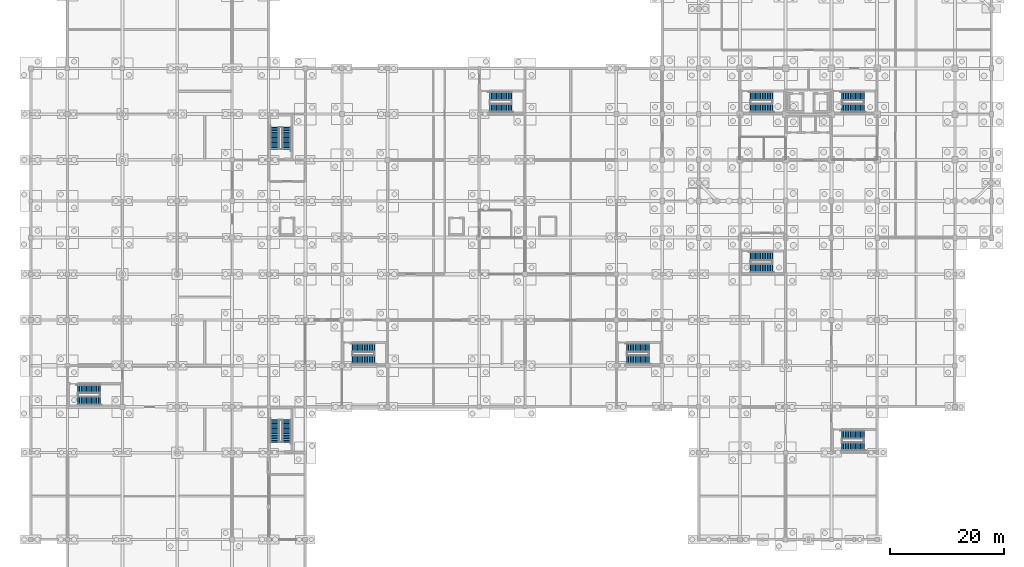
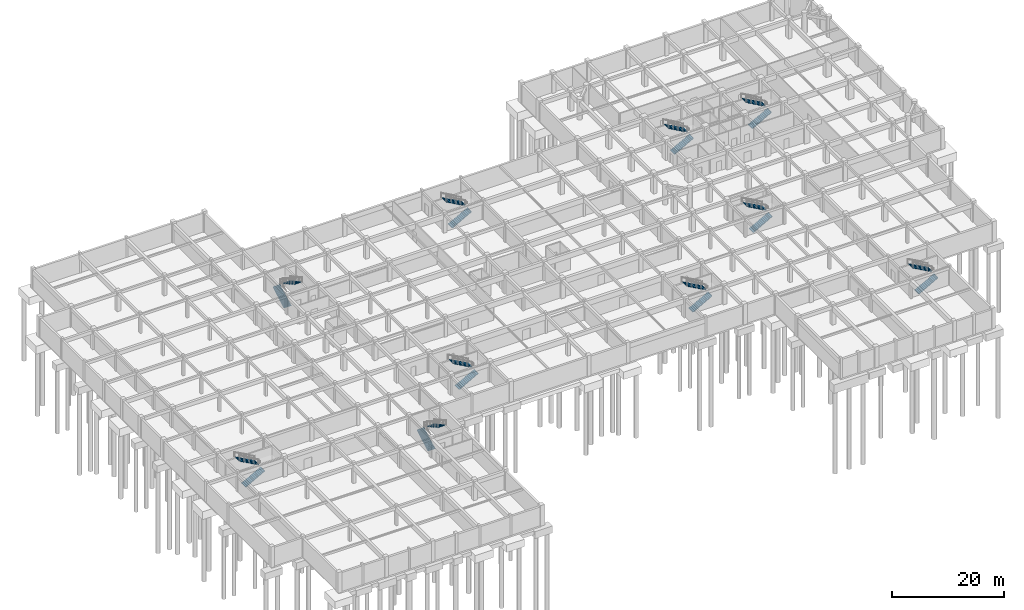
# One storey, part 26 of 28: 20 stair flights, 10 elements without a shape of their own.
"""IFC4 building model written with IfcOpenShell, lengths in metres."""

from ifc_helpers import new_model, si_unit, direction, frame, origin, place, context, subcontext, project, spatial, polyline, outline, extrude, material, type_object, element, aggregate, save


model = new_model("IFC4")

# Units and contexts
model_context = context("Model", 3, precision=1e-05, world=origin(), true_north=direction((0.0, 1.0)))
body_context = subcontext(model_context, "Body", "Model", "MODEL_VIEW")
ifc_project = project(units=[si_unit("LENGTHUNIT", "METRE"), si_unit("AREAUNIT", "SQUARE_METRE"), si_unit("VOLUMEUNIT", "CUBIC_METRE"), si_unit("PLANEANGLEUNIT", "RADIAN"), si_unit("MASSUNIT", "GRAM", prefix="KILO")], contexts=[model_context])

# Site, building, storey
site_placement = place(None, origin())
site = spatial("IfcSite", under=ifc_project, at=site_placement, CompositionType="ELEMENT")
building_placement = place(site_placement, origin())
building = spatial("IfcBuilding", under=site, at=building_placement, Name="Vellmiral Cinema and Media Centre", CompositionType="ELEMENT")
storey_placement = place(building_placement, frame((0.0, 0.0, -4.5)))
storey = spatial("IfcBuildingStorey", under=building, at=storey_placement, Name="B1", CompositionType="ELEMENT", Elevation=-4.5)

# Stair, stair flights
ifc_material_1 = material(Name="Concrete C40/50", Category="concrete")
stair_type = type_object("IfcStairType", Name="ST-2RET-450", PredefinedType="HALF_TURN_STAIR", material=ifc_material_1)
stair_1_placement = place(storey_placement, origin())
stair_1 = element("IfcStair", 1, at=stair_1_placement, inside=storey, type_object=stair_type, Name="Protected Escape Stair ST-P1 (B1)", PredefinedType="HALF_TURN_STAIR")
ifc_material_2 = material(Name="Concrete C40/50", Category="concrete")
stair_flight_type = type_object("IfcStairFlightType", Name="STF-STR-450", PredefinedType="STRAIGHT", material=ifc_material_2)
stair_flight_1_placement = place(storey_placement, frame((42.64990234375, 29.85009765625, 0.0), z_axis=(0.0, 0.0, 1.0), x_axis=(0.0, 1.0, 0.0)))
stair_flight_1 = element("IfcStairFlight", 2, at=stair_flight_1_placement, type_object=stair_flight_type, Name="ST-P1 flight 1", NumberOfRisers=14, NumberOfTreads=13, PredefinedType="STRAIGHT", RiserHeight=0.160714286, TreadLength=0.295, context=body_context, shape_type="SweptSolid", body=[
    extrude(outline(polyline([(-0.080078125, 0.0), (-0.080078125, 0.096435546875), (0.0, 0.16064453125), (0.294921875, 0.16064453125), (0.294921875, 0.321533203125), (0.590087890625, 0.321533203125), (0.590087890625, 0.482177734375), (0.885009765625, 0.482177734375), (0.885009765625, 0.642822265625), (1.179931640625, 0.642822265625), (1.179931640625, 0.803466796875), (1.47509765625, 0.803466796875), (1.47509765625, 0.96435546875), (1.77001953125, 0.96435546875), (1.77001953125, 1.125), (2.06494140625, 1.125), (2.06494140625, 1.28564453125), (2.360107421875, 1.28564453125), (2.360107421875, 1.446533203125), (2.655029296875, 1.446533203125), (2.655029296875, 1.607177734375), (2.949951171875, 1.607177734375), (2.949951171875, 1.767822265625), (3.2451171875, 1.767822265625), (3.2451171875, 1.928466796875), (3.5400390625, 1.928466796875), (3.5400390625, 2.08935546875), (3.8349609375, 2.08935546875), (3.8349609375, 2.25), (3.9150390625, 2.25), (3.9150390625, 2.090087890625), (0.179931640625, 0.0), (-0.080078125, 0.0)])), frame((0.0, 0.75, 0.0), z_axis=(0.0, -1.0, 0.0), x_axis=(1.0, 0.0, 0.0)), (0.0, 0.0, 1.0), 1.5),
])
stair_flight_2_placement = place(storey_placement, frame((44.75, 33.68505859375, 2.25), z_axis=(0.0, 0.0, 1.0), x_axis=(0.0, -1.0, 0.0)))
stair_flight_2 = element("IfcStairFlight", 3, at=stair_flight_2_placement, type_object=stair_flight_type, Name="ST-P1 flight 2", NumberOfRisers=14, NumberOfTreads=13, PredefinedType="STRAIGHT", RiserHeight=0.160714286, TreadLength=0.295, context=body_context, shape_type="SweptSolid", body=[
    extrude(outline(polyline([(-0.080078125, 0.0), (-0.080078125, 0.096435546875), (0.0, 0.16064453125), (0.294921875, 0.16064453125), (0.294921875, 0.321533203125), (0.590087890625, 0.321533203125), (0.590087890625, 0.482177734375), (0.885009765625, 0.482177734375), (0.885009765625, 0.642822265625), (1.179931640625, 0.642822265625), (1.179931640625, 0.803466796875), (1.47509765625, 0.803466796875), (1.47509765625, 0.96435546875), (1.77001953125, 0.96435546875), (1.77001953125, 1.125), (2.06494140625, 1.125), (2.06494140625, 1.28564453125), (2.360107421875, 1.28564453125), (2.360107421875, 1.446533203125), (2.655029296875, 1.446533203125), (2.655029296875, 1.607177734375), (2.949951171875, 1.607177734375), (2.949951171875, 1.767822265625), (3.2451171875, 1.767822265625), (3.2451171875, 1.928466796875), (3.5400390625, 1.928466796875), (3.5400390625, 2.08935546875), (3.8349609375, 2.08935546875), (3.8349609375, 2.25), (3.9150390625, 2.25), (3.9150390625, 2.090087890625), (0.179931640625, 0.0), (-0.080078125, 0.0)])), frame((0.0, 0.75, 0.0), z_axis=(0.0, -1.0, 0.0), x_axis=(1.0, 0.0, 0.0)), (0.0, 0.0, 1.0), 1.5),
])
aggregate(stair_1, [stair_flight_1, stair_flight_2])

stair_2_placement = place(storey_placement, origin())
stair_2 = element("IfcStair", 4, at=stair_2_placement, inside=storey, type_object=stair_type, Name="Protected Escape Stair ST-P2 (B1)", PredefinedType="HALF_TURN_STAIR")
stair_flight_3_placement = place(storey_placement, frame((42.64990234375, 81.050048828125, 0.0), z_axis=(0.0, 0.0, 1.0), x_axis=(0.0, 1.0, 0.0)))
stair_flight_3 = element("IfcStairFlight", 5, at=stair_flight_3_placement, type_object=stair_flight_type, Name="ST-P2 flight 1", NumberOfRisers=14, NumberOfTreads=13, PredefinedType="STRAIGHT", RiserHeight=0.160714286, TreadLength=0.295, context=body_context, shape_type="SweptSolid", body=[
    extrude(outline(polyline([(-0.080078125, 0.0), (-0.080078125, 0.096435546875), (0.0, 0.16064453125), (0.294921875, 0.16064453125), (0.294921875, 0.321533203125), (0.590087890625, 0.321533203125), (0.590087890625, 0.482177734375), (0.885009765625, 0.482177734375), (0.885009765625, 0.642822265625), (1.179931640625, 0.642822265625), (1.179931640625, 0.803466796875), (1.47509765625, 0.803466796875), (1.47509765625, 0.96435546875), (1.77001953125, 0.96435546875), (1.77001953125, 1.125), (2.06494140625, 1.125), (2.06494140625, 1.28564453125), (2.360107421875, 1.28564453125), (2.360107421875, 1.446533203125), (2.655029296875, 1.446533203125), (2.655029296875, 1.607177734375), (2.949951171875, 1.607177734375), (2.949951171875, 1.767822265625), (3.2451171875, 1.767822265625), (3.2451171875, 1.928466796875), (3.5400390625, 1.928466796875), (3.5400390625, 2.08935546875), (3.8349609375, 2.08935546875), (3.8349609375, 2.25), (3.9150390625, 2.25), (3.9150390625, 2.090087890625), (0.179931640625, 0.0), (-0.080078125, 0.0)])), frame((0.0, 0.75, 0.0), z_axis=(0.0, -1.0, 0.0), x_axis=(1.0, 0.0, 0.0)), (0.0, 0.0, 1.0), 1.5),
])
stair_flight_4_placement = place(storey_placement, frame((44.75, 84.885009765625, 2.25), z_axis=(0.0, 0.0, 1.0), x_axis=(0.0, -1.0, 0.0)))
stair_flight_4 = element("IfcStairFlight", 6, at=stair_flight_4_placement, type_object=stair_flight_type, Name="ST-P2 flight 2", NumberOfRisers=14, NumberOfTreads=13, PredefinedType="STRAIGHT", RiserHeight=0.160714286, TreadLength=0.295, context=body_context, shape_type="SweptSolid", body=[
    extrude(outline(polyline([(-0.080078125, 0.0), (-0.080078125, 0.096435546875), (0.0, 0.16064453125), (0.294921875, 0.16064453125), (0.294921875, 0.321533203125), (0.590087890625, 0.321533203125), (0.590087890625, 0.482177734375), (0.885009765625, 0.482177734375), (0.885009765625, 0.642822265625), (1.179931640625, 0.642822265625), (1.179931640625, 0.803466796875), (1.47509765625, 0.803466796875), (1.47509765625, 0.96435546875), (1.77001953125, 0.96435546875), (1.77001953125, 1.125), (2.06494140625, 1.125), (2.06494140625, 1.28564453125), (2.360107421875, 1.28564453125), (2.360107421875, 1.446533203125), (2.655029296875, 1.446533203125), (2.655029296875, 1.607177734375), (2.949951171875, 1.607177734375), (2.949951171875, 1.767822265625), (3.2451171875, 1.767822265625), (3.2451171875, 1.928466796875), (3.5400390625, 1.928466796875), (3.5400390625, 2.08935546875), (3.8349609375, 2.08935546875), (3.8349609375, 2.25), (3.9150390625, 2.25), (3.9150390625, 2.090087890625), (0.179931640625, 0.0), (-0.080078125, 0.0)])), frame((0.0, 0.75, 0.0), z_axis=(0.0, -1.0, 0.0), x_axis=(1.0, 0.0, 0.0)), (0.0, 0.0, 1.0), 1.5),
])
aggregate(stair_2, [stair_flight_3, stair_flight_4])

stair_3_placement = place(storey_placement, origin())
stair_3 = element("IfcStair", 7, at=stair_3_placement, inside=storey, type_object=stair_type, Name="Protected Escape Stair ST-P3 (B1)", PredefinedType="HALF_TURN_STAIR")
stair_flight_5_placement = place(storey_placement, frame((56.25, 44.25, 0.0), z_axis=(0.0, 0.0, 1.0), x_axis=(1.0, 0.0, 0.0)))
stair_flight_5 = element("IfcStairFlight", 8, at=stair_flight_5_placement, type_object=stair_flight_type, Name="ST-P3 flight 1", NumberOfRisers=14, NumberOfTreads=13, PredefinedType="STRAIGHT", RiserHeight=0.160714286, TreadLength=0.295, context=body_context, shape_type="SweptSolid", body=[
    extrude(outline(polyline([(-0.080078125, 0.0), (-0.080078125, 0.096435546875), (0.0, 0.16064453125), (0.294921875, 0.16064453125), (0.294921875, 0.321533203125), (0.590087890625, 0.321533203125), (0.590087890625, 0.482177734375), (0.885009765625, 0.482177734375), (0.885009765625, 0.642822265625), (1.179931640625, 0.642822265625), (1.179931640625, 0.803466796875), (1.47509765625, 0.803466796875), (1.47509765625, 0.96435546875), (1.77001953125, 0.96435546875), (1.77001953125, 1.125), (2.06494140625, 1.125), (2.06494140625, 1.28564453125), (2.360107421875, 1.28564453125), (2.360107421875, 1.446533203125), (2.655029296875, 1.446533203125), (2.655029296875, 1.607177734375), (2.949951171875, 1.607177734375), (2.949951171875, 1.767822265625), (3.2451171875, 1.767822265625), (3.2451171875, 1.928466796875), (3.5400390625, 1.928466796875), (3.5400390625, 2.08935546875), (3.8349609375, 2.08935546875), (3.8349609375, 2.25), (3.9150390625, 2.25), (3.9150390625, 2.090087890625), (0.179931640625, 0.0), (-0.080078125, 0.0)])), frame((0.0, 0.75, 0.0), z_axis=(0.0, -1.0, 0.0), x_axis=(1.0, 0.0, 0.0)), (0.0, 0.0, 1.0), 1.5),
])
stair_flight_6_placement = place(storey_placement, frame((60.0849609375, 46.35009765625, 2.25), z_axis=(0.0, 0.0, 1.0), x_axis=(-1.0, 0.0, 0.0)))
stair_flight_6 = element("IfcStairFlight", 9, at=stair_flight_6_placement, type_object=stair_flight_type, Name="ST-P3 flight 2", NumberOfRisers=14, NumberOfTreads=13, PredefinedType="STRAIGHT", RiserHeight=0.160714286, TreadLength=0.295, context=body_context, shape_type="SweptSolid", body=[
    extrude(outline(polyline([(-0.080078125, 0.0), (-0.080078125, 0.096435546875), (0.0, 0.16064453125), (0.294921875, 0.16064453125), (0.294921875, 0.321533203125), (0.590087890625, 0.321533203125), (0.590087890625, 0.482177734375), (0.885009765625, 0.482177734375), (0.885009765625, 0.642822265625), (1.179931640625, 0.642822265625), (1.179931640625, 0.803466796875), (1.47509765625, 0.803466796875), (1.47509765625, 0.96435546875), (1.77001953125, 0.96435546875), (1.77001953125, 1.125), (2.06494140625, 1.125), (2.06494140625, 1.28564453125), (2.360107421875, 1.28564453125), (2.360107421875, 1.446533203125), (2.655029296875, 1.446533203125), (2.655029296875, 1.607177734375), (2.949951171875, 1.607177734375), (2.949951171875, 1.767822265625), (3.2451171875, 1.767822265625), (3.2451171875, 1.928466796875), (3.5400390625, 1.928466796875), (3.5400390625, 2.08935546875), (3.8349609375, 2.08935546875), (3.8349609375, 2.25), (3.9150390625, 2.25), (3.9150390625, 2.090087890625), (0.179931640625, 0.0), (-0.080078125, 0.0)])), frame((0.0, 0.75, 0.0), z_axis=(0.0, -1.0, 0.0), x_axis=(1.0, 0.0, 0.0)), (0.0, 0.0, 1.0), 1.5),
])
aggregate(stair_3, [stair_flight_5, stair_flight_6])

stair_4_placement = place(storey_placement, origin())
stair_4 = element("IfcStair", 10, at=stair_4_placement, inside=storey, type_object=stair_type, Name="Protected Escape Stair ST-P4 (B1)", PredefinedType="HALF_TURN_STAIR")
stair_flight_7_placement = place(storey_placement, frame((104.25, 44.25, 0.0), z_axis=(0.0, 0.0, 1.0), x_axis=(1.0, 0.0, 0.0)))
stair_flight_7 = element("IfcStairFlight", 11, at=stair_flight_7_placement, type_object=stair_flight_type, Name="ST-P4 flight 1", NumberOfRisers=14, NumberOfTreads=13, PredefinedType="STRAIGHT", RiserHeight=0.160714286, TreadLength=0.295, context=body_context, shape_type="SweptSolid", body=[
    extrude(outline(polyline([(-0.080078125, 0.0), (-0.080078125, 0.096435546875), (0.0, 0.16064453125), (0.294921875, 0.16064453125), (0.294921875, 0.321533203125), (0.590087890625, 0.321533203125), (0.590087890625, 0.482177734375), (0.885009765625, 0.482177734375), (0.885009765625, 0.642822265625), (1.179931640625, 0.642822265625), (1.179931640625, 0.803466796875), (1.47509765625, 0.803466796875), (1.47509765625, 0.96435546875), (1.77001953125, 0.96435546875), (1.77001953125, 1.125), (2.06494140625, 1.125), (2.06494140625, 1.28564453125), (2.360107421875, 1.28564453125), (2.360107421875, 1.446533203125), (2.655029296875, 1.446533203125), (2.655029296875, 1.607177734375), (2.949951171875, 1.607177734375), (2.949951171875, 1.767822265625), (3.2451171875, 1.767822265625), (3.2451171875, 1.928466796875), (3.5400390625, 1.928466796875), (3.5400390625, 2.08935546875), (3.8349609375, 2.08935546875), (3.8349609375, 2.25), (3.9150390625, 2.25), (3.9150390625, 2.090087890625), (0.179931640625, 0.0), (-0.080078125, 0.0)])), frame((0.0, 0.75, 0.0), z_axis=(0.0, -1.0, 0.0), x_axis=(1.0, 0.0, 0.0)), (0.0, 0.0, 1.0), 1.5),
])
stair_flight_8_placement = place(storey_placement, frame((108.0849609375, 46.35009765625, 2.25), z_axis=(0.0, 0.0, 1.0), x_axis=(-1.0, 0.0, 0.0)))
stair_flight_8 = element("IfcStairFlight", 12, at=stair_flight_8_placement, type_object=stair_flight_type, Name="ST-P4 flight 2", NumberOfRisers=14, NumberOfTreads=13, PredefinedType="STRAIGHT", RiserHeight=0.160714286, TreadLength=0.295, context=body_context, shape_type="SweptSolid", body=[
    extrude(outline(polyline([(-0.080078125, 0.0), (-0.080078125, 0.096435546875), (0.0, 0.16064453125), (0.294921875, 0.16064453125), (0.294921875, 0.321533203125), (0.590087890625, 0.321533203125), (0.590087890625, 0.482177734375), (0.885009765625, 0.482177734375), (0.885009765625, 0.642822265625), (1.179931640625, 0.642822265625), (1.179931640625, 0.803466796875), (1.47509765625, 0.803466796875), (1.47509765625, 0.96435546875), (1.77001953125, 0.96435546875), (1.77001953125, 1.125), (2.06494140625, 1.125), (2.06494140625, 1.28564453125), (2.360107421875, 1.28564453125), (2.360107421875, 1.446533203125), (2.655029296875, 1.446533203125), (2.655029296875, 1.607177734375), (2.949951171875, 1.607177734375), (2.949951171875, 1.767822265625), (3.2451171875, 1.767822265625), (3.2451171875, 1.928466796875), (3.5400390625, 1.928466796875), (3.5400390625, 2.08935546875), (3.8349609375, 2.08935546875), (3.8349609375, 2.25), (3.9150390625, 2.25), (3.9150390625, 2.090087890625), (0.179931640625, 0.0), (-0.080078125, 0.0)])), frame((0.0, 0.75, 0.0), z_axis=(0.0, -1.0, 0.0), x_axis=(1.0, 0.0, 0.0)), (0.0, 0.0, 1.0), 1.5),
])
aggregate(stair_4, [stair_flight_7, stair_flight_8])

stair_5_placement = place(storey_placement, origin())
stair_5 = element("IfcStair", 13, at=stair_5_placement, inside=storey, type_object=stair_type, Name="Protected Escape Stair ST-P5 (B1)", PredefinedType="HALF_TURN_STAIR")
stair_flight_9_placement = place(storey_placement, frame((80.25, 88.25, 0.0), z_axis=(0.0, 0.0, 1.0), x_axis=(1.0, 0.0, 0.0)))
stair_flight_9 = element("IfcStairFlight", 14, at=stair_flight_9_placement, type_object=stair_flight_type, Name="ST-P5 flight 1", NumberOfRisers=14, NumberOfTreads=13, PredefinedType="STRAIGHT", RiserHeight=0.160714286, TreadLength=0.295, context=body_context, shape_type="SweptSolid", body=[
    extrude(outline(polyline([(-0.080078125, 0.0), (-0.080078125, 0.096435546875), (0.0, 0.16064453125), (0.294921875, 0.16064453125), (0.294921875, 0.321533203125), (0.590087890625, 0.321533203125), (0.590087890625, 0.482177734375), (0.885009765625, 0.482177734375), (0.885009765625, 0.642822265625), (1.179931640625, 0.642822265625), (1.179931640625, 0.803466796875), (1.47509765625, 0.803466796875), (1.47509765625, 0.96435546875), (1.77001953125, 0.96435546875), (1.77001953125, 1.125), (2.06494140625, 1.125), (2.06494140625, 1.28564453125), (2.360107421875, 1.28564453125), (2.360107421875, 1.446533203125), (2.655029296875, 1.446533203125), (2.655029296875, 1.607177734375), (2.949951171875, 1.607177734375), (2.949951171875, 1.767822265625), (3.2451171875, 1.767822265625), (3.2451171875, 1.928466796875), (3.5400390625, 1.928466796875), (3.5400390625, 2.08935546875), (3.8349609375, 2.08935546875), (3.8349609375, 2.25), (3.9150390625, 2.25), (3.9150390625, 2.090087890625), (0.179931640625, 0.0), (-0.080078125, 0.0)])), frame((0.0, 0.75, 0.0), z_axis=(0.0, -1.0, 0.0), x_axis=(1.0, 0.0, 0.0)), (0.0, 0.0, 1.0), 1.5),
])
stair_flight_10_placement = place(storey_placement, frame((84.0849609375, 90.35009765625, 2.25), z_axis=(0.0, 0.0, 1.0), x_axis=(-1.0, 0.0, 0.0)))
stair_flight_10 = element("IfcStairFlight", 15, at=stair_flight_10_placement, type_object=stair_flight_type, Name="ST-P5 flight 2", NumberOfRisers=14, NumberOfTreads=13, PredefinedType="STRAIGHT", RiserHeight=0.160714286, TreadLength=0.295, context=body_context, shape_type="SweptSolid", body=[
    extrude(outline(polyline([(-0.080078125, 0.0), (-0.080078125, 0.096435546875), (0.0, 0.16064453125), (0.294921875, 0.16064453125), (0.294921875, 0.321533203125), (0.590087890625, 0.321533203125), (0.590087890625, 0.482177734375), (0.885009765625, 0.482177734375), (0.885009765625, 0.642822265625), (1.179931640625, 0.642822265625), (1.179931640625, 0.803466796875), (1.47509765625, 0.803466796875), (1.47509765625, 0.96435546875), (1.77001953125, 0.96435546875), (1.77001953125, 1.125), (2.06494140625, 1.125), (2.06494140625, 1.28564453125), (2.360107421875, 1.28564453125), (2.360107421875, 1.446533203125), (2.655029296875, 1.446533203125), (2.655029296875, 1.607177734375), (2.949951171875, 1.607177734375), (2.949951171875, 1.767822265625), (3.2451171875, 1.767822265625), (3.2451171875, 1.928466796875), (3.5400390625, 1.928466796875), (3.5400390625, 2.08935546875), (3.8349609375, 2.08935546875), (3.8349609375, 2.25), (3.9150390625, 2.25), (3.9150390625, 2.090087890625), (0.179931640625, 0.0), (-0.080078125, 0.0)])), frame((0.0, 0.75, 0.0), z_axis=(0.0, -1.0, 0.0), x_axis=(1.0, 0.0, 0.0)), (0.0, 0.0, 1.0), 1.5),
])
aggregate(stair_5, [stair_flight_9, stair_flight_10])

stair_6_placement = place(storey_placement, origin())
stair_6 = element("IfcStair", 16, at=stair_6_placement, inside=storey, type_object=stair_type, Name="Protected Escape Stair ST-P6 (B1)", PredefinedType="HALF_TURN_STAIR")
stair_flight_11_placement = place(storey_placement, frame((125.85009765625, 60.25, 0.0), z_axis=(0.0, 0.0, 1.0), x_axis=(1.0, 0.0, 0.0)))
stair_flight_11 = element("IfcStairFlight", 17, at=stair_flight_11_placement, type_object=stair_flight_type, Name="ST-P6 flight 1", NumberOfRisers=14, NumberOfTreads=13, PredefinedType="STRAIGHT", RiserHeight=0.160714286, TreadLength=0.295, context=body_context, shape_type="SweptSolid", body=[
    extrude(outline(polyline([(-0.080078125, 0.0), (-0.080078125, 0.096435546875), (0.0, 0.16064453125), (0.294921875, 0.16064453125), (0.294921875, 0.321533203125), (0.590087890625, 0.321533203125), (0.590087890625, 0.482177734375), (0.885009765625, 0.482177734375), (0.885009765625, 0.642822265625), (1.179931640625, 0.642822265625), (1.179931640625, 0.803466796875), (1.47509765625, 0.803466796875), (1.47509765625, 0.96435546875), (1.77001953125, 0.96435546875), (1.77001953125, 1.125), (2.06494140625, 1.125), (2.06494140625, 1.28564453125), (2.360107421875, 1.28564453125), (2.360107421875, 1.446533203125), (2.655029296875, 1.446533203125), (2.655029296875, 1.607177734375), (2.949951171875, 1.607177734375), (2.949951171875, 1.767822265625), (3.2451171875, 1.767822265625), (3.2451171875, 1.928466796875), (3.5400390625, 1.928466796875), (3.5400390625, 2.08935546875), (3.8349609375, 2.08935546875), (3.8349609375, 2.25), (3.9150390625, 2.25), (3.9150390625, 2.090087890625), (0.179931640625, 0.0), (-0.080078125, 0.0)])), frame((0.0, 0.75, 0.0), z_axis=(0.0, -1.0, 0.0), x_axis=(1.0, 0.0, 0.0)), (0.0, 0.0, 1.0), 1.5),
])
stair_flight_12_placement = place(storey_placement, frame((129.68505859375, 62.35009765625, 2.25), z_axis=(0.0, 0.0, 1.0), x_axis=(-1.0, 0.0, 0.0)))
stair_flight_12 = element("IfcStairFlight", 18, at=stair_flight_12_placement, type_object=stair_flight_type, Name="ST-P6 flight 2", NumberOfRisers=14, NumberOfTreads=13, PredefinedType="STRAIGHT", RiserHeight=0.160714286, TreadLength=0.295, context=body_context, shape_type="SweptSolid", body=[
    extrude(outline(polyline([(-0.080078125, 0.0), (-0.080078125, 0.096435546875), (0.0, 0.16064453125), (0.294921875, 0.16064453125), (0.294921875, 0.321533203125), (0.590087890625, 0.321533203125), (0.590087890625, 0.482177734375), (0.885009765625, 0.482177734375), (0.885009765625, 0.642822265625), (1.179931640625, 0.642822265625), (1.179931640625, 0.803466796875), (1.47509765625, 0.803466796875), (1.47509765625, 0.96435546875), (1.77001953125, 0.96435546875), (1.77001953125, 1.125), (2.06494140625, 1.125), (2.06494140625, 1.28564453125), (2.360107421875, 1.28564453125), (2.360107421875, 1.446533203125), (2.655029296875, 1.446533203125), (2.655029296875, 1.607177734375), (2.949951171875, 1.607177734375), (2.949951171875, 1.767822265625), (3.2451171875, 1.767822265625), (3.2451171875, 1.928466796875), (3.5400390625, 1.928466796875), (3.5400390625, 2.08935546875), (3.8349609375, 2.08935546875), (3.8349609375, 2.25), (3.9150390625, 2.25), (3.9150390625, 2.090087890625), (0.179931640625, 0.0), (-0.080078125, 0.0)])), frame((0.0, 0.75, 0.0), z_axis=(0.0, -1.0, 0.0), x_axis=(1.0, 0.0, 0.0)), (0.0, 0.0, 1.0), 1.5),
])
aggregate(stair_6, [stair_flight_11, stair_flight_12])

stair_7_placement = place(storey_placement, origin())
stair_7 = element("IfcStair", 19, at=stair_7_placement, inside=storey, type_object=stair_type, Name="Protected Escape Stair ST-P7 (B1)", PredefinedType="HALF_TURN_STAIR")
stair_flight_13_placement = place(storey_placement, frame((8.25, 37.050048828125, 0.0), z_axis=(0.0, 0.0, 1.0), x_axis=(1.0, 0.0, 0.0)))
stair_flight_13 = element("IfcStairFlight", 20, at=stair_flight_13_placement, type_object=stair_flight_type, Name="ST-P7 flight 1", NumberOfRisers=14, NumberOfTreads=13, PredefinedType="STRAIGHT", RiserHeight=0.160714286, TreadLength=0.295, context=body_context, shape_type="SweptSolid", body=[
    extrude(outline(polyline([(-0.080078125, 0.0), (-0.080078125, 0.096435546875), (0.0, 0.16064453125), (0.294921875, 0.16064453125), (0.294921875, 0.321533203125), (0.590087890625, 0.321533203125), (0.590087890625, 0.482177734375), (0.885009765625, 0.482177734375), (0.885009765625, 0.642822265625), (1.179931640625, 0.642822265625), (1.179931640625, 0.803466796875), (1.47509765625, 0.803466796875), (1.47509765625, 0.96435546875), (1.77001953125, 0.96435546875), (1.77001953125, 1.125), (2.06494140625, 1.125), (2.06494140625, 1.28564453125), (2.360107421875, 1.28564453125), (2.360107421875, 1.446533203125), (2.655029296875, 1.446533203125), (2.655029296875, 1.607177734375), (2.949951171875, 1.607177734375), (2.949951171875, 1.767822265625), (3.2451171875, 1.767822265625), (3.2451171875, 1.928466796875), (3.5400390625, 1.928466796875), (3.5400390625, 2.08935546875), (3.8349609375, 2.08935546875), (3.8349609375, 2.25), (3.9150390625, 2.25), (3.9150390625, 2.090087890625), (0.179931640625, 0.0), (-0.080078125, 0.0)])), frame((0.0, 0.75, 0.0), z_axis=(0.0, -1.0, 0.0), x_axis=(1.0, 0.0, 0.0)), (0.0, 0.0, 1.0), 1.5),
])
stair_flight_14_placement = place(storey_placement, frame((12.0849609375, 39.14990234375, 2.25), z_axis=(0.0, 0.0, 1.0), x_axis=(-1.0, 0.0, 0.0)))
stair_flight_14 = element("IfcStairFlight", 21, at=stair_flight_14_placement, type_object=stair_flight_type, Name="ST-P7 flight 2", NumberOfRisers=14, NumberOfTreads=13, PredefinedType="STRAIGHT", RiserHeight=0.160714286, TreadLength=0.295, context=body_context, shape_type="SweptSolid", body=[
    extrude(outline(polyline([(-0.080078125, 0.0), (-0.080078125, 0.096435546875), (0.0, 0.16064453125), (0.294921875, 0.16064453125), (0.294921875, 0.321533203125), (0.590087890625, 0.321533203125), (0.590087890625, 0.482177734375), (0.885009765625, 0.482177734375), (0.885009765625, 0.642822265625), (1.179931640625, 0.642822265625), (1.179931640625, 0.803466796875), (1.47509765625, 0.803466796875), (1.47509765625, 0.96435546875), (1.77001953125, 0.96435546875), (1.77001953125, 1.125), (2.06494140625, 1.125), (2.06494140625, 1.28564453125), (2.360107421875, 1.28564453125), (2.360107421875, 1.446533203125), (2.655029296875, 1.446533203125), (2.655029296875, 1.607177734375), (2.949951171875, 1.607177734375), (2.949951171875, 1.767822265625), (3.2451171875, 1.767822265625), (3.2451171875, 1.928466796875), (3.5400390625, 1.928466796875), (3.5400390625, 2.08935546875), (3.8349609375, 2.08935546875), (3.8349609375, 2.25), (3.9150390625, 2.25), (3.9150390625, 2.090087890625), (0.179931640625, 0.0), (-0.080078125, 0.0)])), frame((0.0, 0.75, 0.0), z_axis=(0.0, -1.0, 0.0), x_axis=(1.0, 0.0, 0.0)), (0.0, 0.0, 1.0), 1.5),
])
aggregate(stair_7, [stair_flight_13, stair_flight_14])

stair_8_placement = place(storey_placement, origin())
stair_8 = element("IfcStair", 22, at=stair_8_placement, inside=storey, type_object=stair_type, Name="Protected Escape Stair ST-P8 (B1)", PredefinedType="HALF_TURN_STAIR")
stair_flight_15_placement = place(storey_placement, frame((141.85009765625, 29.050048828125, 0.0), z_axis=(0.0, 0.0, 1.0), x_axis=(1.0, 0.0, 0.0)))
stair_flight_15 = element("IfcStairFlight", 23, at=stair_flight_15_placement, type_object=stair_flight_type, Name="ST-P8 flight 1", NumberOfRisers=14, NumberOfTreads=13, PredefinedType="STRAIGHT", RiserHeight=0.160714286, TreadLength=0.295, context=body_context, shape_type="SweptSolid", body=[
    extrude(outline(polyline([(-0.080078125, 0.0), (-0.080078125, 0.096435546875), (0.0, 0.16064453125), (0.294921875, 0.16064453125), (0.294921875, 0.321533203125), (0.590087890625, 0.321533203125), (0.590087890625, 0.482177734375), (0.885009765625, 0.482177734375), (0.885009765625, 0.642822265625), (1.179931640625, 0.642822265625), (1.179931640625, 0.803466796875), (1.47509765625, 0.803466796875), (1.47509765625, 0.96435546875), (1.77001953125, 0.96435546875), (1.77001953125, 1.125), (2.06494140625, 1.125), (2.06494140625, 1.28564453125), (2.360107421875, 1.28564453125), (2.360107421875, 1.446533203125), (2.655029296875, 1.446533203125), (2.655029296875, 1.607177734375), (2.949951171875, 1.607177734375), (2.949951171875, 1.767822265625), (3.2451171875, 1.767822265625), (3.2451171875, 1.928466796875), (3.5400390625, 1.928466796875), (3.5400390625, 2.08935546875), (3.8349609375, 2.08935546875), (3.8349609375, 2.25), (3.9150390625, 2.25), (3.9150390625, 2.090087890625), (0.179931640625, 0.0), (-0.080078125, 0.0)])), frame((0.0, 0.75, 0.0), z_axis=(0.0, -1.0, 0.0), x_axis=(1.0, 0.0, 0.0)), (0.0, 0.0, 1.0), 1.5),
])
stair_flight_16_placement = place(storey_placement, frame((145.68505859375, 31.14990234375, 2.25), z_axis=(0.0, 0.0, 1.0), x_axis=(-1.0, 0.0, 0.0)))
stair_flight_16 = element("IfcStairFlight", 24, at=stair_flight_16_placement, type_object=stair_flight_type, Name="ST-P8 flight 2", NumberOfRisers=14, NumberOfTreads=13, PredefinedType="STRAIGHT", RiserHeight=0.160714286, TreadLength=0.295, context=body_context, shape_type="SweptSolid", body=[
    extrude(outline(polyline([(-0.080078125, 0.0), (-0.080078125, 0.096435546875), (0.0, 0.16064453125), (0.294921875, 0.16064453125), (0.294921875, 0.321533203125), (0.590087890625, 0.321533203125), (0.590087890625, 0.482177734375), (0.885009765625, 0.482177734375), (0.885009765625, 0.642822265625), (1.179931640625, 0.642822265625), (1.179931640625, 0.803466796875), (1.47509765625, 0.803466796875), (1.47509765625, 0.96435546875), (1.77001953125, 0.96435546875), (1.77001953125, 1.125), (2.06494140625, 1.125), (2.06494140625, 1.28564453125), (2.360107421875, 1.28564453125), (2.360107421875, 1.446533203125), (2.655029296875, 1.446533203125), (2.655029296875, 1.607177734375), (2.949951171875, 1.607177734375), (2.949951171875, 1.767822265625), (3.2451171875, 1.767822265625), (3.2451171875, 1.928466796875), (3.5400390625, 1.928466796875), (3.5400390625, 2.08935546875), (3.8349609375, 2.08935546875), (3.8349609375, 2.25), (3.9150390625, 2.25), (3.9150390625, 2.090087890625), (0.179931640625, 0.0), (-0.080078125, 0.0)])), frame((0.0, 0.75, 0.0), z_axis=(0.0, -1.0, 0.0), x_axis=(1.0, 0.0, 0.0)), (0.0, 0.0, 1.0), 1.5),
])
aggregate(stair_8, [stair_flight_15, stair_flight_16])

stair_9_placement = place(storey_placement, origin())
stair_9 = element("IfcStair", 25, at=stair_9_placement, inside=storey, type_object=stair_type, Name="Protected Escape Stair ST-T1 (B1)", PredefinedType="HALF_TURN_STAIR")
stair_flight_17_placement = place(storey_placement, frame((125.85009765625, 88.25, 0.0), z_axis=(0.0, 0.0, 1.0), x_axis=(1.0, 0.0, 0.0)))
stair_flight_17 = element("IfcStairFlight", 26, at=stair_flight_17_placement, type_object=stair_flight_type, Name="ST-T1 flight 1", NumberOfRisers=14, NumberOfTreads=13, PredefinedType="STRAIGHT", RiserHeight=0.160714286, TreadLength=0.295, context=body_context, shape_type="SweptSolid", body=[
    extrude(outline(polyline([(-0.080078125, 0.0), (-0.080078125, 0.096435546875), (0.0, 0.16064453125), (0.294921875, 0.16064453125), (0.294921875, 0.321533203125), (0.590087890625, 0.321533203125), (0.590087890625, 0.482177734375), (0.885009765625, 0.482177734375), (0.885009765625, 0.642822265625), (1.179931640625, 0.642822265625), (1.179931640625, 0.803466796875), (1.47509765625, 0.803466796875), (1.47509765625, 0.96435546875), (1.77001953125, 0.96435546875), (1.77001953125, 1.125), (2.06494140625, 1.125), (2.06494140625, 1.28564453125), (2.360107421875, 1.28564453125), (2.360107421875, 1.446533203125), (2.655029296875, 1.446533203125), (2.655029296875, 1.607177734375), (2.949951171875, 1.607177734375), (2.949951171875, 1.767822265625), (3.2451171875, 1.767822265625), (3.2451171875, 1.928466796875), (3.5400390625, 1.928466796875), (3.5400390625, 2.08935546875), (3.8349609375, 2.08935546875), (3.8349609375, 2.25), (3.9150390625, 2.25), (3.9150390625, 2.090087890625), (0.179931640625, 0.0), (-0.080078125, 0.0)])), frame((0.0, 0.75, 0.0), z_axis=(0.0, -1.0, 0.0), x_axis=(1.0, 0.0, 0.0)), (0.0, 0.0, 1.0), 1.5),
])
stair_flight_18_placement = place(storey_placement, frame((129.68505859375, 90.35009765625, 2.25), z_axis=(0.0, 0.0, 1.0), x_axis=(-1.0, 0.0, 0.0)))
stair_flight_18 = element("IfcStairFlight", 27, at=stair_flight_18_placement, type_object=stair_flight_type, Name="ST-T1 flight 2", NumberOfRisers=14, NumberOfTreads=13, PredefinedType="STRAIGHT", RiserHeight=0.160714286, TreadLength=0.295, context=body_context, shape_type="SweptSolid", body=[
    extrude(outline(polyline([(-0.080078125, 0.0), (-0.080078125, 0.096435546875), (0.0, 0.16064453125), (0.294921875, 0.16064453125), (0.294921875, 0.321533203125), (0.590087890625, 0.321533203125), (0.590087890625, 0.482177734375), (0.885009765625, 0.482177734375), (0.885009765625, 0.642822265625), (1.179931640625, 0.642822265625), (1.179931640625, 0.803466796875), (1.47509765625, 0.803466796875), (1.47509765625, 0.96435546875), (1.77001953125, 0.96435546875), (1.77001953125, 1.125), (2.06494140625, 1.125), (2.06494140625, 1.28564453125), (2.360107421875, 1.28564453125), (2.360107421875, 1.446533203125), (2.655029296875, 1.446533203125), (2.655029296875, 1.607177734375), (2.949951171875, 1.607177734375), (2.949951171875, 1.767822265625), (3.2451171875, 1.767822265625), (3.2451171875, 1.928466796875), (3.5400390625, 1.928466796875), (3.5400390625, 2.08935546875), (3.8349609375, 2.08935546875), (3.8349609375, 2.25), (3.9150390625, 2.25), (3.9150390625, 2.090087890625), (0.179931640625, 0.0), (-0.080078125, 0.0)])), frame((0.0, 0.75, 0.0), z_axis=(0.0, -1.0, 0.0), x_axis=(1.0, 0.0, 0.0)), (0.0, 0.0, 1.0), 1.5),
])
aggregate(stair_9, [stair_flight_17, stair_flight_18])

stair_10_placement = place(storey_placement, origin())
stair_10 = element("IfcStair", 28, at=stair_10_placement, inside=storey, type_object=stair_type, Name="Protected Escape Stair ST-T2 (B1)", PredefinedType="HALF_TURN_STAIR")
stair_flight_19_placement = place(storey_placement, frame((141.85009765625, 88.25, 0.0), z_axis=(0.0, 0.0, 1.0), x_axis=(1.0, 0.0, 0.0)))
stair_flight_19 = element("IfcStairFlight", 29, at=stair_flight_19_placement, type_object=stair_flight_type, Name="ST-T2 flight 1", NumberOfRisers=14, NumberOfTreads=13, PredefinedType="STRAIGHT", RiserHeight=0.160714286, TreadLength=0.295, context=body_context, shape_type="SweptSolid", body=[
    extrude(outline(polyline([(-0.080078125, 0.0), (-0.080078125, 0.096435546875), (0.0, 0.16064453125), (0.294921875, 0.16064453125), (0.294921875, 0.321533203125), (0.590087890625, 0.321533203125), (0.590087890625, 0.482177734375), (0.885009765625, 0.482177734375), (0.885009765625, 0.642822265625), (1.179931640625, 0.642822265625), (1.179931640625, 0.803466796875), (1.47509765625, 0.803466796875), (1.47509765625, 0.96435546875), (1.77001953125, 0.96435546875), (1.77001953125, 1.125), (2.06494140625, 1.125), (2.06494140625, 1.28564453125), (2.360107421875, 1.28564453125), (2.360107421875, 1.446533203125), (2.655029296875, 1.446533203125), (2.655029296875, 1.607177734375), (2.949951171875, 1.607177734375), (2.949951171875, 1.767822265625), (3.2451171875, 1.767822265625), (3.2451171875, 1.928466796875), (3.5400390625, 1.928466796875), (3.5400390625, 2.08935546875), (3.8349609375, 2.08935546875), (3.8349609375, 2.25), (3.9150390625, 2.25), (3.9150390625, 2.090087890625), (0.179931640625, 0.0), (-0.080078125, 0.0)])), frame((0.0, 0.75, 0.0), z_axis=(0.0, -1.0, 0.0), x_axis=(1.0, 0.0, 0.0)), (0.0, 0.0, 1.0), 1.5),
])
stair_flight_20_placement = place(storey_placement, frame((145.68505859375, 90.35009765625, 2.25), z_axis=(0.0, 0.0, 1.0), x_axis=(-1.0, 0.0, 0.0)))
stair_flight_20 = element("IfcStairFlight", 30, at=stair_flight_20_placement, type_object=stair_flight_type, Name="ST-T2 flight 2", NumberOfRisers=14, NumberOfTreads=13, PredefinedType="STRAIGHT", RiserHeight=0.160714286, TreadLength=0.295, context=body_context, shape_type="SweptSolid", body=[
    extrude(outline(polyline([(-0.080078125, 0.0), (-0.080078125, 0.096435546875), (0.0, 0.16064453125), (0.294921875, 0.16064453125), (0.294921875, 0.321533203125), (0.590087890625, 0.321533203125), (0.590087890625, 0.482177734375), (0.885009765625, 0.482177734375), (0.885009765625, 0.642822265625), (1.179931640625, 0.642822265625), (1.179931640625, 0.803466796875), (1.47509765625, 0.803466796875), (1.47509765625, 0.96435546875), (1.77001953125, 0.96435546875), (1.77001953125, 1.125), (2.06494140625, 1.125), (2.06494140625, 1.28564453125), (2.360107421875, 1.28564453125), (2.360107421875, 1.446533203125), (2.655029296875, 1.446533203125), (2.655029296875, 1.607177734375), (2.949951171875, 1.607177734375), (2.949951171875, 1.767822265625), (3.2451171875, 1.767822265625), (3.2451171875, 1.928466796875), (3.5400390625, 1.928466796875), (3.5400390625, 2.08935546875), (3.8349609375, 2.08935546875), (3.8349609375, 2.25), (3.9150390625, 2.25), (3.9150390625, 2.090087890625), (0.179931640625, 0.0), (-0.080078125, 0.0)])), frame((0.0, 0.75, 0.0), z_axis=(0.0, -1.0, 0.0), x_axis=(1.0, 0.0, 0.0)), (0.0, 0.0, 1.0), 1.5),
])
aggregate(stair_10, [stair_flight_19, stair_flight_20])

save(model, "model.ifc")
